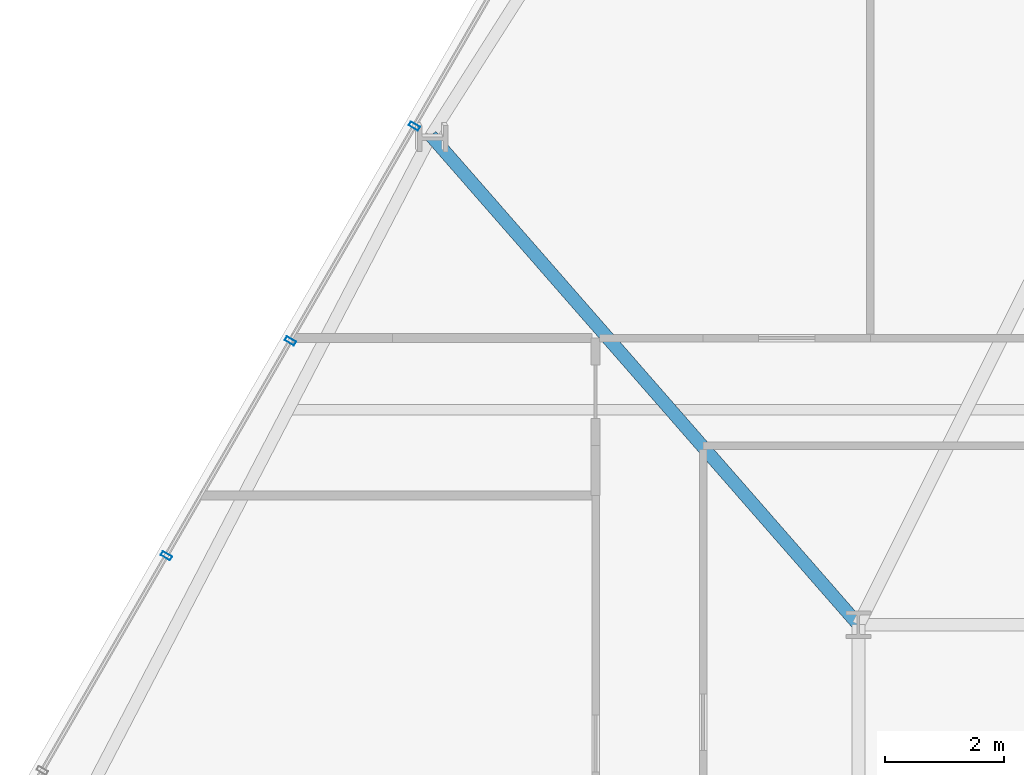
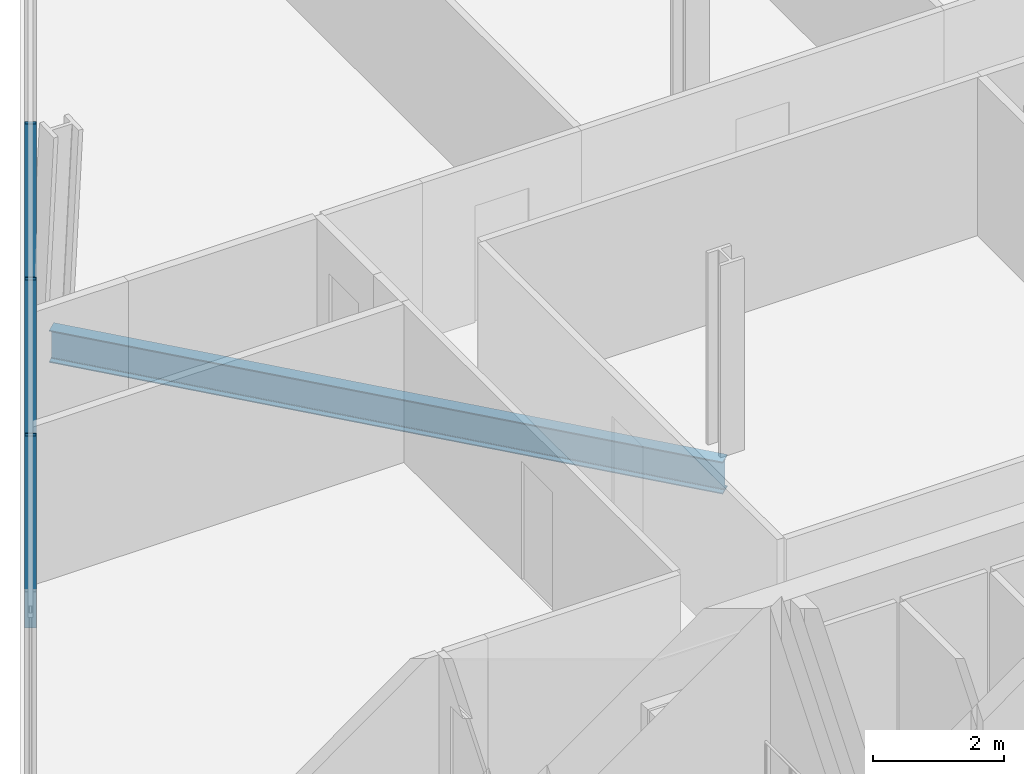
# One storey, part 13 of 32: 3 members, 1 beam, 1 element without a shape of its own.
"""IFC4 building model written with IfcOpenShell, lengths in metres."""

import ifcopenshell
import ifcopenshell.guid

model = None  # the IFC model being written
_history = None  # IfcOwnerHistory: only IFC2X3 demands one
_inside = {}  # id of a spatial element -> (the spatial element, [elements in it])
_under = {}  # id of a project, library or spatial element -> (it, [spatial elements below it])
_declared = {}  # id of a project -> (the project, [libraries it declares])
_typed = {}  # id of a type object -> (the type object, [elements of that type])
_made_of = {}  # id of a material, layer set ... -> (it, [elements and type objects made of it])


def new_model(schema):
    """Start an empty IFC model of exactly this schema.

    Asked for "IFC4X3", IfcOpenShell would pick the latest addendum, in which some entities
    have other attributes; the version numbers below select the first issue.
    IFC2X3 requires an IfcOwnerHistory on every rooted entity: one is made here for all.
    """
    global model, _history
    if schema == "IFC4X3":
        model = ifcopenshell.file(schema_version=(4, 3, 0, 0))
    else:
        model = ifcopenshell.file(schema=schema)
    _inside.clear()
    _under.clear()
    _declared.clear()
    _typed.clear()
    _made_of.clear()
    _history = None
    if model.schema == "IFC2X3":
        org = make("IfcOrganization", Name="unknown")
        user = make(
            "IfcPersonAndOrganization",
            ThePerson=make("IfcPerson", FamilyName="unknown"),
            TheOrganization=org,
        )
        app = make(
            "IfcApplication",
            ApplicationDeveloper=org,
            Version="unknown",
            ApplicationFullName="unknown",
            ApplicationIdentifier="unknown",
        )
        _history = make(
            "IfcOwnerHistory",
            OwningUser=user,
            OwningApplication=app,
            ChangeAction="ADDED",
            CreationDate=0,
        )
    return model


def make(cls, **values):
    """One entity of the class cls with the attributes given. An attribute that is None is left unset."""
    return model.create_entity(
        cls, **{name: value for name, value in values.items() if value is not None}
    )


def rooted(cls, **values):
    """An entity with a GlobalId (a new one), such as an element, a storey or a relation."""
    return make(cls, GlobalId=ifcopenshell.guid.new(), OwnerHistory=_history, **values)


def si_unit(unit_type, name, prefix=None):
    """IfcSIUnit, for example si_unit("LENGTHUNIT", "METRE", prefix="MILLI")."""
    return make("IfcSIUnit", UnitType=unit_type, Prefix=prefix, Name=name)


def assignment(units):
    """IfcUnitAssignment: the units of a project."""
    return None if units is None else make("IfcUnitAssignment", Units=units)


def point(xyz):
    """IfcCartesianPoint."""
    return None if xyz is None else make("IfcCartesianPoint", Coordinates=xyz)


def direction(xyz):
    """IfcDirection."""
    return None if xyz is None else make("IfcDirection", DirectionRatios=xyz)


def frame(location, z_axis=None, x_axis=None):
    """IfcAxis2Placement3D, a coordinate frame: its origin and axes. An axis left out is left unset."""
    return make(
        "IfcAxis2Placement3D",
        Location=point(location),
        Axis=direction(z_axis),
        RefDirection=direction(x_axis),
    )


def frame_2d(location, x_axis=None):
    """IfcAxis2Placement2D, a coordinate frame in the plane: its origin and x axis."""
    return make(
        "IfcAxis2Placement2D", Location=point(location), RefDirection=direction(x_axis)
    )


def origin():
    """The frame at (0, 0, 0) with its axes left unset."""
    return frame((0.0, 0.0, 0.0))


def origin_2d():
    """The frame at (0, 0) in the plane with its x axis left unset."""
    return frame_2d((0.0, 0.0))


def place(relative_to, where):
    """IfcLocalPlacement: puts the frame where relative to a parent placement (None: the world)."""
    return make(
        "IfcLocalPlacement", PlacementRelTo=relative_to, RelativePlacement=where
    )


def context(
    kind, dimensions, precision=None, world=None, true_north=None, identifier=None
):
    """IfcGeometricRepresentationContext, for example the 3D "Model" context."""
    return make(
        "IfcGeometricRepresentationContext",
        ContextIdentifier=identifier,
        ContextType=kind,
        CoordinateSpaceDimension=dimensions,
        Precision=precision,
        WorldCoordinateSystem=world,
        TrueNorth=true_north,
    )


def subcontext(parent, identifier, kind, view, scale=None):
    """IfcGeometricRepresentationSubContext, for example "Body" below "Model"."""
    return make(
        "IfcGeometricRepresentationSubContext",
        ContextIdentifier=identifier,
        ContextType=kind,
        ParentContext=parent,
        TargetScale=scale,
        TargetView=view,
    )


def project(units=None, contexts=None):
    """IfcProject with its units and contexts."""
    return rooted(
        "IfcProject",
        Name="project",
        RepresentationContexts=contexts,
        UnitsInContext=assignment(units),
    )


def spatial(cls, under=None, at=None, **own):
    """A site, building, storey or space (cls), placed at a placement, below another one or the project."""
    s = rooted(cls, ObjectPlacement=at, **own)
    if under is not None:
        _under.setdefault(under.id(), (under, []))[1].append(s)
    return s


def profile(cls, at=None, kind="AREA", **sizes):
    """A parametric profile (cls). Its sizes go by their IFC names, for example OverallWidth=200.0."""
    return make(cls, ProfileType=kind, Position=at, **sizes)


def hollow_rectangle(**sizes):
    """IfcRectangleHollowProfileDef."""
    return profile("IfcRectangleHollowProfileDef", **sizes)


def i_section(**sizes):
    """IfcIShapeProfileDef."""
    return profile("IfcIShapeProfileDef", **sizes)


def extrude(swept, where, along, depth):
    """IfcExtrudedAreaSolid: the profile swept, set in the frame where, extruded along a direction by depth."""
    return make(
        "IfcExtrudedAreaSolid",
        SweptArea=swept,
        Position=where,
        ExtrudedDirection=direction(along),
        Depth=depth,
    )


def shape(context_of_items, identifier, shape_type, items):
    """IfcShapeRepresentation: the items that make up one representation, for example the "Body"."""
    return make(
        "IfcShapeRepresentation",
        ContextOfItems=context_of_items,
        RepresentationIdentifier=identifier,
        RepresentationType=shape_type,
        Items=items,
    )


def material(Name=None, Category=None):
    """IfcMaterial."""
    return make("IfcMaterial", Name=Name, Category=Category)


def layer(
    of_material, thickness, ventilated=None, Name=None, Category=None, Priority=None
):
    """IfcMaterialLayer: one layer of a wall or slab, of a material (None: an air gap)."""
    return make(
        "IfcMaterialLayer",
        Material=of_material,
        LayerThickness=thickness,
        IsVentilated=ventilated,
        Name=Name,
        Category=Category,
        Priority=Priority,
    )


def layer_set(layers, Name=None):
    """IfcMaterialLayerSet."""
    return make("IfcMaterialLayerSet", MaterialLayers=layers, LayerSetName=Name)


def material_profile(
    of_material, cross_section, Name=None, Category=None, Priority=None
):
    """IfcMaterialProfile: a cross section and its material."""
    return make(
        "IfcMaterialProfile",
        Name=Name,
        Material=of_material,
        Profile=cross_section,
        Priority=Priority,
        Category=Category,
    )


def profile_set(profiles, Name=None, composite=None):
    """IfcMaterialProfileSet."""
    return make(
        "IfcMaterialProfileSet",
        Name=Name,
        MaterialProfiles=profiles,
        CompositeProfile=composite,
    )


def made_of(thing, what):
    """Note that an element or type object is made of a material, layer set ...; save() writes the relation."""
    if what is not None:
        _made_of.setdefault(what.id(), (what, []))[1].append(thing)
    return thing


def type_object(cls, material=None, **own):
    """A type object (cls), such as IfcWallType, which elements share."""
    return made_of(rooted(cls, **own), material)


def element(
    cls,
    number,
    at=None,
    inside=None,
    cuts=None,
    type_object=None,
    material=None,
    context=None,
    identifier="Body",
    shape_type=None,
    held_by="IfcProductDefinitionShape",
    body=None,
    shapes=None,
    **own,
):
    """One element of the class cls, such as IfcWall. Its Tag is "e" and its number.

    at: its placement. inside: the storey or other place that contains it. cuts: it is an
    opening in that element (IfcRelVoidsElement). A single representation is given by context,
    identifier, shape_type and body (its items); several are given by shapes. held_by: the class
    of the entity that holds the representations. save() writes the other relations.
    """
    e = rooted(cls, Tag="e%d" % number, ObjectPlacement=at, **own)
    if body is not None:
        shapes = [shape(context, identifier, shape_type, body)]
    if shapes is not None:
        e.Representation = make(held_by, Representations=shapes)
    if inside is not None:
        _inside.setdefault(inside.id(), (inside, []))[1].append(e)
    if cuts is not None:
        rooted(
            "IfcRelVoidsElement", RelatingBuildingElement=cuts, RelatedOpeningElement=e
        )
    if type_object is not None:
        _typed.setdefault(type_object.id(), (type_object, []))[1].append(e)
    return made_of(e, material)


def aggregate(whole, parts):
    """IfcRelAggregates: a whole, such as a stair, and the parts it consists of."""
    return rooted("IfcRelAggregates", RelatingObject=whole, RelatedObjects=parts)


def save(model, path):
    """Write the relations noted so far, then the file.

    IfcRelAggregates (storeys below a building ...), IfcRelContainedInSpatialStructure (elements
    in a storey), IfcRelDefinesByType, IfcRelAssociatesMaterial and IfcRelDeclares: one each for
    every whole, place, type object, material and project.
    """
    for whole, parts in _under.values():
        aggregate(whole, parts)
    for where, things in _inside.values():
        rooted(
            "IfcRelContainedInSpatialStructure",
            RelatedElements=things,
            RelatingStructure=where,
        )
    for kind, things in _typed.values():
        rooted("IfcRelDefinesByType", RelatedObjects=things, RelatingType=kind)
    for what, things in _made_of.values():
        rooted("IfcRelAssociatesMaterial", RelatedObjects=things, RelatingMaterial=what)
    for by, libraries in _declared.values():
        rooted("IfcRelDeclares", RelatingContext=by, RelatedDefinitions=libraries)
    model.write(path)


model = new_model("IFC4")

# Units and contexts
model_context = context("Model", 3, precision=1e-05, world=origin(), true_north=direction((0.0, 1.0)))
body_context = subcontext(model_context, "Body", "Model", "MODEL_VIEW")
ifc_project = project(units=[si_unit("LENGTHUNIT", "METRE"), si_unit("AREAUNIT", "SQUARE_METRE"), si_unit("VOLUMEUNIT", "CUBIC_METRE"), si_unit("PLANEANGLEUNIT", "RADIAN"), si_unit("MASSUNIT", "GRAM", prefix="KILO")], contexts=[model_context])

# Site, building, storey
site_placement = place(None, origin())
site = spatial("IfcSite", under=ifc_project, at=site_placement, CompositionType="ELEMENT")
building_placement = place(site_placement, origin())
building = spatial("IfcBuilding", under=site, at=building_placement, Name="Ndaravel Arena Tower", CompositionType="ELEMENT")
storey_placement = place(building_placement, frame((0.0, 0.0, 96.800048828125)))
storey = spatial("IfcBuildingStorey", under=building, at=storey_placement, Name="L22", CompositionType="ELEMENT", Elevation=96.800048828125)

# Beam
ifc_material_1 = material(Name="Steel S355", Category="steel")
ifc_material_profile_1 = material_profile(ifc_material_1, i_section(OverallWidth=0.219970703125, OverallDepth=0.60009765625, WebThickness=0.011962890625, FlangeThickness=0.01904296875, FilletRadius=0.02392578125, at=origin_2d()), Name="IPE 600")
ifc_profile_set_1 = profile_set([ifc_material_profile_1], Name="Steel S355")
beam_type = type_object("IfcBeamType", Name="BM-GIRD-IPE600", PredefinedType="BEAM", material=ifc_profile_set_1)
beam_placement = place(storey_placement, frame((27.04248046875, 31.387451171875, -0.52001953125), z_axis=(0.658161235983, -0.752877006854, 0.0), x_axis=(0.752877006854, 0.658161235983, 0.0)))
element("IfcBeam", 1, at=beam_placement, inside=storey, type_object=beam_type, Name="L22 Radial Floor Girder FG-19", PredefinedType="BEAM", context=body_context, shape_type="SweptSolid", body=[
    extrude(i_section(OverallWidth=0.219970703125, OverallDepth=0.60009765625, WebThickness=0.011962890625, FlangeThickness=0.01904296875, FilletRadius=0.02392578125, at=origin_2d()), origin(), (0.0, 0.0, 1.0), 10.875),
])

# Curtain wall, members
ifc_material_2 = material(Name="Aluminium", Category="aluminium")
ifc_layer = layer(ifc_material_2, 0.179931640625)
ifc_layer_set = layer_set([ifc_layer], Name="Aluminium")
curtain_wall_type = type_object("IfcCurtainWallType", Name="CW-SYS-03", PredefinedType="NOTDEFINED", material=ifc_layer_set)
curtain_wall_placement = place(storey_placement, origin())
curtain_wall = element("IfcCurtainWall", 2, at=curtain_wall_placement, inside=storey, type_object=curtain_wall_type, Name="L22 Faceted Crystal Curtain Wall CW-L22-E05", PredefinedType="NOTDEFINED")
ifc_material_3 = material(Name="Aluminium", Category="aluminium")
ifc_material_profile_2 = material_profile(ifc_material_3, hollow_rectangle(XDim=0.074951171875, YDim=0.179931640625, WallThickness=0.00390625, at=origin_2d()), Name="CW MULLION 75x180x4")
ifc_profile_set_2 = profile_set([ifc_material_profile_2], Name="Aluminium")
member_type = type_object("IfcMemberType", Name="MEM-CW-MUL180", PredefinedType="MULLION", material=ifc_profile_set_2)
member_1_placement = place(storey_placement, frame((26.76513671875, 31.54736328125, 0.0), z_axis=(0.0, 0.0, 1.0), x_axis=(-0.5, -0.866025403784, 0.0)))
member_1 = element("IfcMember", 3, at=member_1_placement, type_object=member_type, Name="CW-L22-E05 Mullion 04", PredefinedType="MULLION", context=body_context, shape_type="SweptSolid", body=[
    extrude(hollow_rectangle(XDim=0.074951171875, YDim=0.179931640625, WallThickness=0.00390625, at=origin_2d()), origin(), (0.0, 0.0, 1.0), 3.579833984375),
])
member_2_placement = place(storey_placement, frame((24.688720703125, 27.95068359375, 0.0), z_axis=(0.0, 0.0, 1.0), x_axis=(-0.5, -0.866025403784, 0.0)))
member_2 = element("IfcMember", 4, at=member_2_placement, type_object=member_type, Name="CW-L22-E05 Mullion 05", PredefinedType="MULLION", context=body_context, shape_type="SweptSolid", body=[
    extrude(hollow_rectangle(XDim=0.074951171875, YDim=0.179931640625, WallThickness=0.00390625, at=origin_2d()), origin(), (0.0, 0.0, 1.0), 3.579833984375),
])
member_3_placement = place(storey_placement, frame((22.6123046875, 24.35400390625, 0.0), z_axis=(0.0, 0.0, 1.0), x_axis=(-0.5, -0.866025403784, 0.0)))
member_3 = element("IfcMember", 5, at=member_3_placement, type_object=member_type, Name="CW-L22-E05 Mullion 06", PredefinedType="MULLION", context=body_context, shape_type="SweptSolid", body=[
    extrude(hollow_rectangle(XDim=0.074951171875, YDim=0.179931640625, WallThickness=0.00390625, at=origin_2d()), origin(), (0.0, 0.0, 1.0), 3.579833984375),
])
aggregate(curtain_wall, [member_1, member_2, member_3])

save(model, "model.ifc")
